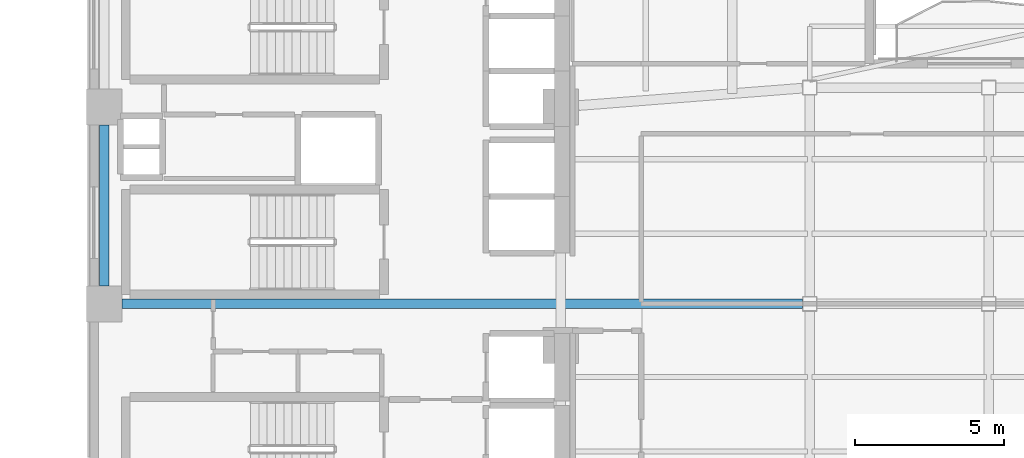
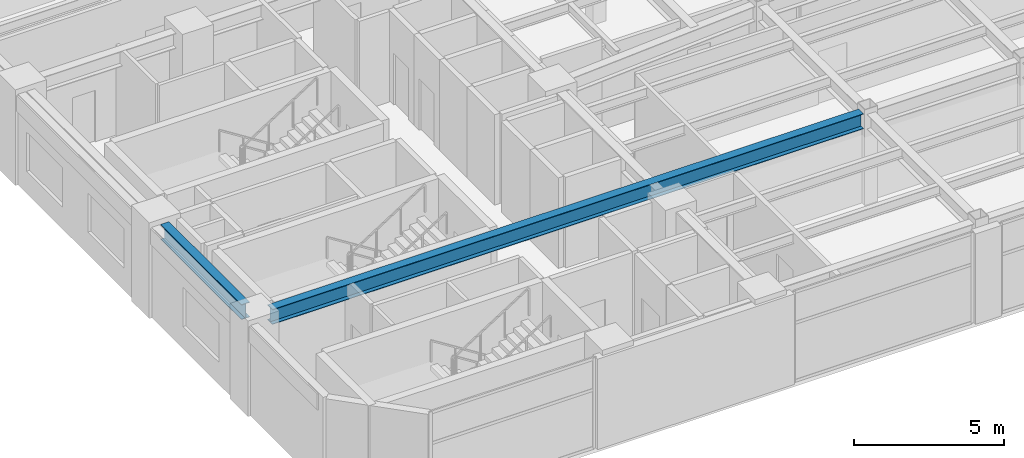
# One storey, part 3 of 15: 2 beams.
"""IFC4 building model written with IfcOpenShell, lengths in metres."""

from ifc_helpers import new_model, si_unit, direction, frame, origin, origin_2d, place, context, subcontext, project, spatial, i_section, extrude, material, material_profile, profile_set, type_object, element, save


model = new_model("IFC4")

# Units and contexts
model_context = context("Model", 3, precision=1e-05, world=origin(), true_north=direction((0.0, 1.0)))
body_context = subcontext(model_context, "Body", "Model", "MODEL_VIEW")
ifc_project = project(units=[si_unit("LENGTHUNIT", "METRE"), si_unit("AREAUNIT", "SQUARE_METRE"), si_unit("VOLUMEUNIT", "CUBIC_METRE"), si_unit("PLANEANGLEUNIT", "RADIAN"), si_unit("MASSUNIT", "GRAM", prefix="KILO")], contexts=[model_context])

# Site, building, storey
site_placement = place(None, origin())
site = spatial("IfcSite", under=ifc_project, at=site_placement, CompositionType="ELEMENT")
building_placement = place(site_placement, origin())
building = spatial("IfcBuilding", under=site, at=building_placement, Name="Mawjaban Terraces University", CompositionType="ELEMENT")
storey_placement = place(building_placement, frame((0.0, 0.0, 119.0)))
storey = spatial("IfcBuildingStorey", under=building, at=storey_placement, Name="L28", CompositionType="ELEMENT", Elevation=119.0)

# Beams
ifc_material = material(Name="Steel ASTM A572 Grade 50", Category="steel")
ifc_material_profile = material_profile(ifc_material, i_section(OverallWidth=0.324951171875, OverallDepth=0.615966796875, WebThickness=0.013916015625, FlangeThickness=0.021484375, at=origin_2d()), Name="W610X174")
ifc_profile_set = profile_set([ifc_material_profile], Name="Steel ASTM A572 Grade 50")
beam_type = type_object("IfcBeamType", Name="Beam_B_W610X174", PredefinedType="BEAM", material=ifc_profile_set)
beam_1_placement = place(storey_placement, frame((22.949951171875, 7.949951171875, 3.382080078125), z_axis=(1.0, 0.0, 0.0), x_axis=(0.0, 1.0, 0.0)))
element("IfcBeam", 1, at=beam_1_placement, inside=storey, type_object=beam_type, Name="L28 Beam BM-L28-EW-05", PredefinedType="BEAM", context=body_context, shape_type="SweptSolid", body=[
    extrude(i_section(OverallWidth=0.324951171875, OverallDepth=0.615966796875, WebThickness=0.013916015625, FlangeThickness=0.021484375, at=origin_2d()), origin(), (0.0, 0.0, 1.0), 22.800048828125),
])
beam_2_placement = place(storey_placement, frame((22.35009765625, 8.550048828125, 3.382080078125), z_axis=(0.0, 1.0, 0.0), x_axis=(-1.0, 0.0, 0.0)))
element("IfcBeam", 2, at=beam_2_placement, inside=storey, type_object=beam_type, Name="L28 Beam BM-L28-NS-01", PredefinedType="BEAM", context=body_context, shape_type="SweptSolid", body=[
    extrude(i_section(OverallWidth=0.324951171875, OverallDepth=0.615966796875, WebThickness=0.013916015625, FlangeThickness=0.021484375, at=origin_2d()), origin(), (0.0, 0.0, 1.0), 5.39990234375),
])

save(model, "model.ifc")
